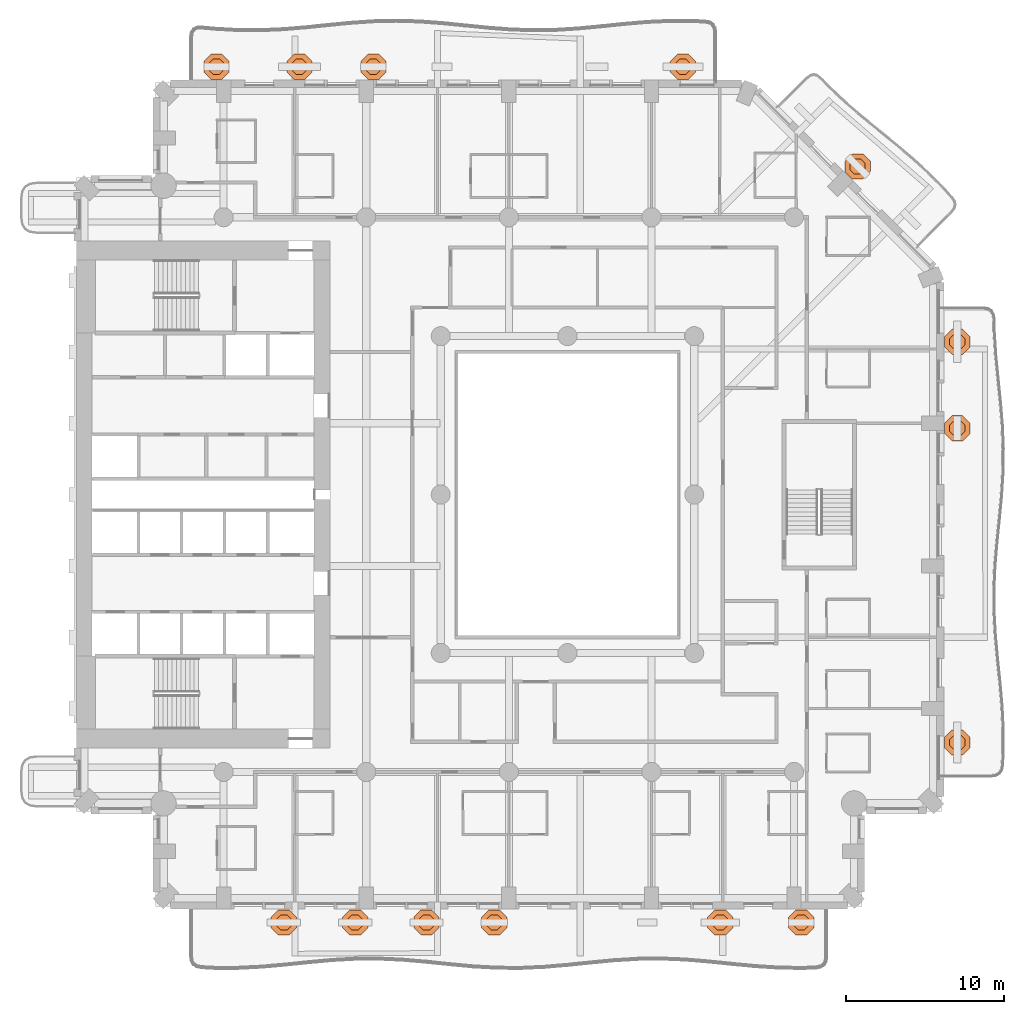
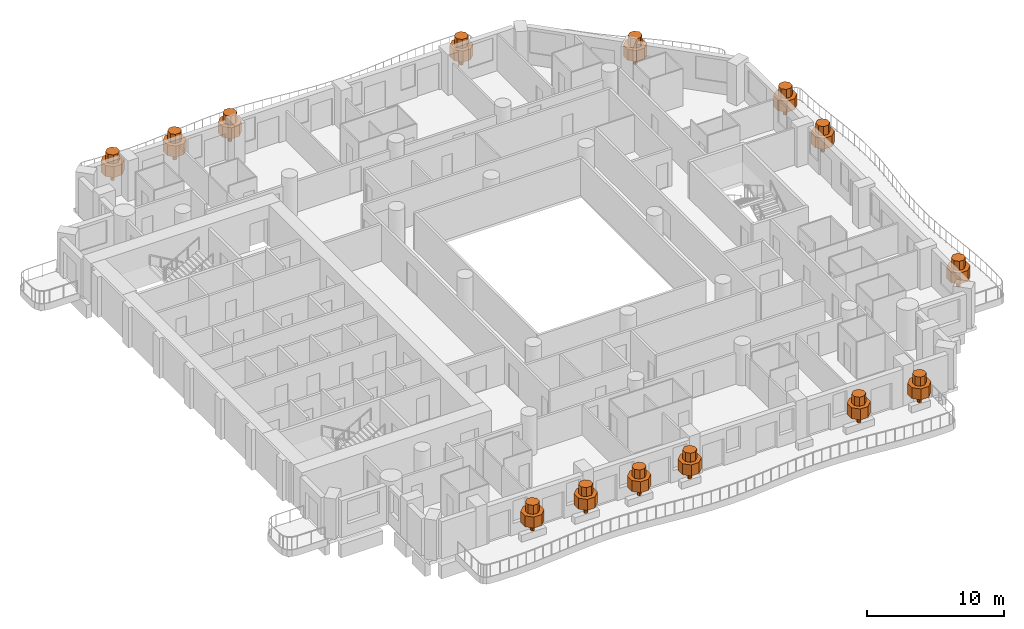
# One storey, part 20 of 20: 14 geographic elements.
"""IFC4 building model written with IfcOpenShell, lengths in metres."""

import ifcopenshell
import ifcopenshell.guid

model = None  # the IFC model being written
_history = None  # IfcOwnerHistory: only IFC2X3 demands one
_inside = {}  # id of a spatial element -> (the spatial element, [elements in it])
_under = {}  # id of a project, library or spatial element -> (it, [spatial elements below it])
_declared = {}  # id of a project -> (the project, [libraries it declares])
_typed = {}  # id of a type object -> (the type object, [elements of that type])
_made_of = {}  # id of a material, layer set ... -> (it, [elements and type objects made of it])


def new_model(schema):
    """Start an empty IFC model of exactly this schema.

    Asked for "IFC4X3", IfcOpenShell would pick the latest addendum, in which some entities
    have other attributes; the version numbers below select the first issue.
    IFC2X3 requires an IfcOwnerHistory on every rooted entity: one is made here for all.
    """
    global model, _history
    if schema == "IFC4X3":
        model = ifcopenshell.file(schema_version=(4, 3, 0, 0))
    else:
        model = ifcopenshell.file(schema=schema)
    _inside.clear()
    _under.clear()
    _declared.clear()
    _typed.clear()
    _made_of.clear()
    _history = None
    if model.schema == "IFC2X3":
        org = make("IfcOrganization", Name="unknown")
        user = make(
            "IfcPersonAndOrganization",
            ThePerson=make("IfcPerson", FamilyName="unknown"),
            TheOrganization=org,
        )
        app = make(
            "IfcApplication",
            ApplicationDeveloper=org,
            Version="unknown",
            ApplicationFullName="unknown",
            ApplicationIdentifier="unknown",
        )
        _history = make(
            "IfcOwnerHistory",
            OwningUser=user,
            OwningApplication=app,
            ChangeAction="ADDED",
            CreationDate=0,
        )
    return model


def make(cls, **values):
    """One entity of the class cls with the attributes given. An attribute that is None is left unset."""
    return model.create_entity(
        cls, **{name: value for name, value in values.items() if value is not None}
    )


def rooted(cls, **values):
    """An entity with a GlobalId (a new one), such as an element, a storey or a relation."""
    return make(cls, GlobalId=ifcopenshell.guid.new(), OwnerHistory=_history, **values)


def si_unit(unit_type, name, prefix=None):
    """IfcSIUnit, for example si_unit("LENGTHUNIT", "METRE", prefix="MILLI")."""
    return make("IfcSIUnit", UnitType=unit_type, Prefix=prefix, Name=name)


def assignment(units):
    """IfcUnitAssignment: the units of a project."""
    return None if units is None else make("IfcUnitAssignment", Units=units)


def point(xyz):
    """IfcCartesianPoint."""
    return None if xyz is None else make("IfcCartesianPoint", Coordinates=xyz)


def direction(xyz):
    """IfcDirection."""
    return None if xyz is None else make("IfcDirection", DirectionRatios=xyz)


def frame(location, z_axis=None, x_axis=None):
    """IfcAxis2Placement3D, a coordinate frame: its origin and axes. An axis left out is left unset."""
    return make(
        "IfcAxis2Placement3D",
        Location=point(location),
        Axis=direction(z_axis),
        RefDirection=direction(x_axis),
    )


def origin():
    """The frame at (0, 0, 0) with its axes left unset."""
    return frame((0.0, 0.0, 0.0))


def place(relative_to, where):
    """IfcLocalPlacement: puts the frame where relative to a parent placement (None: the world)."""
    return make(
        "IfcLocalPlacement", PlacementRelTo=relative_to, RelativePlacement=where
    )


def context(
    kind, dimensions, precision=None, world=None, true_north=None, identifier=None
):
    """IfcGeometricRepresentationContext, for example the 3D "Model" context."""
    return make(
        "IfcGeometricRepresentationContext",
        ContextIdentifier=identifier,
        ContextType=kind,
        CoordinateSpaceDimension=dimensions,
        Precision=precision,
        WorldCoordinateSystem=world,
        TrueNorth=true_north,
    )


def subcontext(parent, identifier, kind, view, scale=None):
    """IfcGeometricRepresentationSubContext, for example "Body" below "Model"."""
    return make(
        "IfcGeometricRepresentationSubContext",
        ContextIdentifier=identifier,
        ContextType=kind,
        ParentContext=parent,
        TargetScale=scale,
        TargetView=view,
    )


def project(units=None, contexts=None):
    """IfcProject with its units and contexts."""
    return rooted(
        "IfcProject",
        Name="project",
        RepresentationContexts=contexts,
        UnitsInContext=assignment(units),
    )


def spatial(cls, under=None, at=None, **own):
    """A site, building, storey or space (cls), placed at a placement, below another one or the project."""
    s = rooted(cls, ObjectPlacement=at, **own)
    if under is not None:
        _under.setdefault(under.id(), (under, []))[1].append(s)
    return s


def polyline(points):
    """IfcPolyline through the points."""
    return make("IfcPolyline", Points=[point(p) for p in points])


def outline(outer, holes=None, kind="AREA"):
    """IfcArbitraryClosedProfileDef: a profile drawn as a closed curve; with holes, ...WithVoids."""
    if holes is None:
        return make("IfcArbitraryClosedProfileDef", ProfileType=kind, OuterCurve=outer)
    return make(
        "IfcArbitraryProfileDefWithVoids",
        ProfileType=kind,
        OuterCurve=outer,
        InnerCurves=holes,
    )


def extrude(swept, where, along, depth):
    """IfcExtrudedAreaSolid: the profile swept, set in the frame where, extruded along a direction by depth."""
    return make(
        "IfcExtrudedAreaSolid",
        SweptArea=swept,
        Position=where,
        ExtrudedDirection=direction(along),
        Depth=depth,
    )


def shape(context_of_items, identifier, shape_type, items):
    """IfcShapeRepresentation: the items that make up one representation, for example the "Body"."""
    return make(
        "IfcShapeRepresentation",
        ContextOfItems=context_of_items,
        RepresentationIdentifier=identifier,
        RepresentationType=shape_type,
        Items=items,
    )


def material(Name=None, Category=None):
    """IfcMaterial."""
    return make("IfcMaterial", Name=Name, Category=Category)


def made_of(thing, what):
    """Note that an element or type object is made of a material, layer set ...; save() writes the relation."""
    if what is not None:
        _made_of.setdefault(what.id(), (what, []))[1].append(thing)
    return thing


def type_object(cls, material=None, **own):
    """A type object (cls), such as IfcWallType, which elements share."""
    return made_of(rooted(cls, **own), material)


def element(
    cls,
    number,
    at=None,
    inside=None,
    cuts=None,
    type_object=None,
    material=None,
    context=None,
    identifier="Body",
    shape_type=None,
    held_by="IfcProductDefinitionShape",
    body=None,
    shapes=None,
    **own,
):
    """One element of the class cls, such as IfcWall. Its Tag is "e" and its number.

    at: its placement. inside: the storey or other place that contains it. cuts: it is an
    opening in that element (IfcRelVoidsElement). A single representation is given by context,
    identifier, shape_type and body (its items); several are given by shapes. held_by: the class
    of the entity that holds the representations. save() writes the other relations.
    """
    e = rooted(cls, Tag="e%d" % number, ObjectPlacement=at, **own)
    if body is not None:
        shapes = [shape(context, identifier, shape_type, body)]
    if shapes is not None:
        e.Representation = make(held_by, Representations=shapes)
    if inside is not None:
        _inside.setdefault(inside.id(), (inside, []))[1].append(e)
    if cuts is not None:
        rooted(
            "IfcRelVoidsElement", RelatingBuildingElement=cuts, RelatedOpeningElement=e
        )
    if type_object is not None:
        _typed.setdefault(type_object.id(), (type_object, []))[1].append(e)
    return made_of(e, material)


def aggregate(whole, parts):
    """IfcRelAggregates: a whole, such as a stair, and the parts it consists of."""
    return rooted("IfcRelAggregates", RelatingObject=whole, RelatedObjects=parts)


def save(model, path):
    """Write the relations noted so far, then the file.

    IfcRelAggregates (storeys below a building ...), IfcRelContainedInSpatialStructure (elements
    in a storey), IfcRelDefinesByType, IfcRelAssociatesMaterial and IfcRelDeclares: one each for
    every whole, place, type object, material and project.
    """
    for whole, parts in _under.values():
        aggregate(whole, parts)
    for where, things in _inside.values():
        rooted(
            "IfcRelContainedInSpatialStructure",
            RelatedElements=things,
            RelatingStructure=where,
        )
    for kind, things in _typed.values():
        rooted("IfcRelDefinesByType", RelatedObjects=things, RelatingType=kind)
    for what, things in _made_of.values():
        rooted("IfcRelAssociatesMaterial", RelatedObjects=things, RelatingMaterial=what)
    for by, libraries in _declared.values():
        rooted("IfcRelDeclares", RelatingContext=by, RelatedDefinitions=libraries)
    model.write(path)


model = new_model("IFC4")

# Units and contexts
model_context = context("Model", 3, precision=1e-05, world=origin(), true_north=direction((0.0, 1.0)))
body_context = subcontext(model_context, "Body", "Model", "MODEL_VIEW")
ifc_project = project(units=[si_unit("LENGTHUNIT", "METRE"), si_unit("AREAUNIT", "SQUARE_METRE"), si_unit("VOLUMEUNIT", "CUBIC_METRE"), si_unit("PLANEANGLEUNIT", "RADIAN"), si_unit("MASSUNIT", "GRAM", prefix="KILO")], contexts=[model_context])

# Site, building, storey
site_placement = place(None, origin())
site = spatial("IfcSite", under=ifc_project, at=site_placement, CompositionType="ELEMENT")
building_placement = place(site_placement, origin())
building = spatial("IfcBuilding", under=site, at=building_placement, Name="Cypress Arch Tower", CompositionType="ELEMENT")
storey_placement = place(building_placement, frame((0.0, 0.0, 95.10009765625)))
storey = spatial("IfcBuildingStorey", under=building, at=storey_placement, Name="L18", CompositionType="ELEMENT", Elevation=95.10009765625)

# Geographic elements
ifc_material = material(Name="Foliage and planting")
geographic_element_type = type_object("IfcGeographicElementType", Name="Balcony tree TR", PredefinedType="USERDEFINED", material=ifc_material)
for number, where, z_axis, x_axis, name in (
    (1, (-16.89990234375, -27.0, 0.599853515625), (0.0, 0.0, 1.0), (1.0, 0.0, 0.0), "Balcony tree L18-A03.1"),
    (2, (-12.39990234375, -27.0, 0.599853515625), (0.0, 0.0, 1.0), (1.0, 0.0, 0.0), "Balcony tree L18-A03.2"),
    (3, (-7.89990234375, -27.0, 0.599853515625), (0.0, 0.0, 1.0), (1.0, 0.0, 0.0), "Balcony tree L18-A03.3"),
    (4, (-3.625, -27.0, 0.599853515625), (0.0, 0.0, 1.0), (1.0, 0.0, 0.0), "Balcony tree L18-A03.4"),
    (5, (10.639892578125, -27.0, 0.599853515625), (0.0, 0.0, 1.0), (1.0, 0.0, 0.0), "Balcony tree L18-A03.6"),
    (6, (15.75, -27.0, 0.599853515625), (0.0, 0.0, 1.0), (1.0, 0.0, 0.0), "Balcony tree L18-A03.7"),
    (7, (25.60009765625, -15.642822265625, 0.599853515625), (0.0, 0.0, 1.0), (1.0, 0.0, 0.0), "Balcony tree L18-A06.1"),
    (8, (25.60009765625, 4.1826171875, 0.599853515625), (0.0, 0.0, 1.0), (1.0, 0.0, 0.0), "Balcony tree L18-A06.2"),
    (9, (25.60009765625, 9.642822265625, 0.599853515625), (0.0, 0.0, 1.0), (1.0, 0.0, 0.0), "Balcony tree L18-A06.3"),
    (10, (19.30712890625, 20.70703125, 0.599853515625), (0.0, 0.0, 1.0), (1.0, 0.0, 0.0), "Balcony tree L18-A07.2"),
    (11, (8.28125, 27.0, 0.599853515625), (0.0, 0.0, 1.0), (1.0, 0.0, 0.0), "Balcony tree L18-A08.1"),
    (12, (-11.24365234375, 27.0, 0.599853515625), (0.0, 0.0, 1.0), (1.0, 0.0, 0.0), "Balcony tree L18-A08.4"),
    (13, (-15.91259765625, 27.0, 0.599853515625), (0.0, 0.0, 1.0), (1.0, 0.0, 0.0), "Balcony tree L18-A08.5"),
    (14, (-21.14990234375, 27.0, 0.599853515625), (0.0, 0.0, 1.0), (1.0, 0.0, 0.0), "Balcony tree L18-A08.6"),
):
    element("IfcGeographicElement", number, at=place(storey_placement, frame(where, z_axis=z_axis, x_axis=x_axis)), inside=storey, type_object=geographic_element_type, Name=name, ObjectType="TREE", PredefinedType="USERDEFINED", context=body_context, shape_type="SweptSolid", body=[
        extrude(outline(polyline([(0.14990234375, 0.06201171875), (0.06201171875, 0.14990234375), (-0.06201171875, 0.14990234375), (-0.14990234375, 0.06201171875), (-0.14990234375, -0.06201171875), (-0.06201171875, -0.14990234375), (0.06201171875, -0.14990234375), (0.14990234375, -0.06201171875), (0.14990234375, 0.06201171875)])), origin(), (0.0, 0.0, 1.0), 0.864990234375),
        extrude(outline(polyline([(0.800048828125, 0.331298828125), (0.331298828125, 0.800048828125), (-0.331298828125, 0.800048828125), (-0.800048828125, 0.331298828125), (-0.800048828125, -0.331298828125), (-0.331298828125, -0.800048828125), (0.331298828125, -0.800048828125), (0.800048828125, -0.331298828125), (0.800048828125, 0.331298828125)])), frame((0.0, 0.0, 0.764892578125)), (0.0, 0.0, 1.0), 0.981689453125),
        extrude(outline(polyline([(0.47998046875, 0.19873046875), (0.19873046875, 0.47998046875), (-0.19873046875, 0.47998046875), (-0.47998046875, 0.19873046875), (-0.47998046875, -0.19873046875), (-0.19873046875, -0.47998046875), (0.19873046875, -0.47998046875), (0.47998046875, -0.19873046875), (0.47998046875, 0.19873046875)])), frame((0.0, 0.0, 1.746826171875)), (0.0, 0.0, 1.0), 0.80322265625),
    ])

save(model, "model.ifc")
